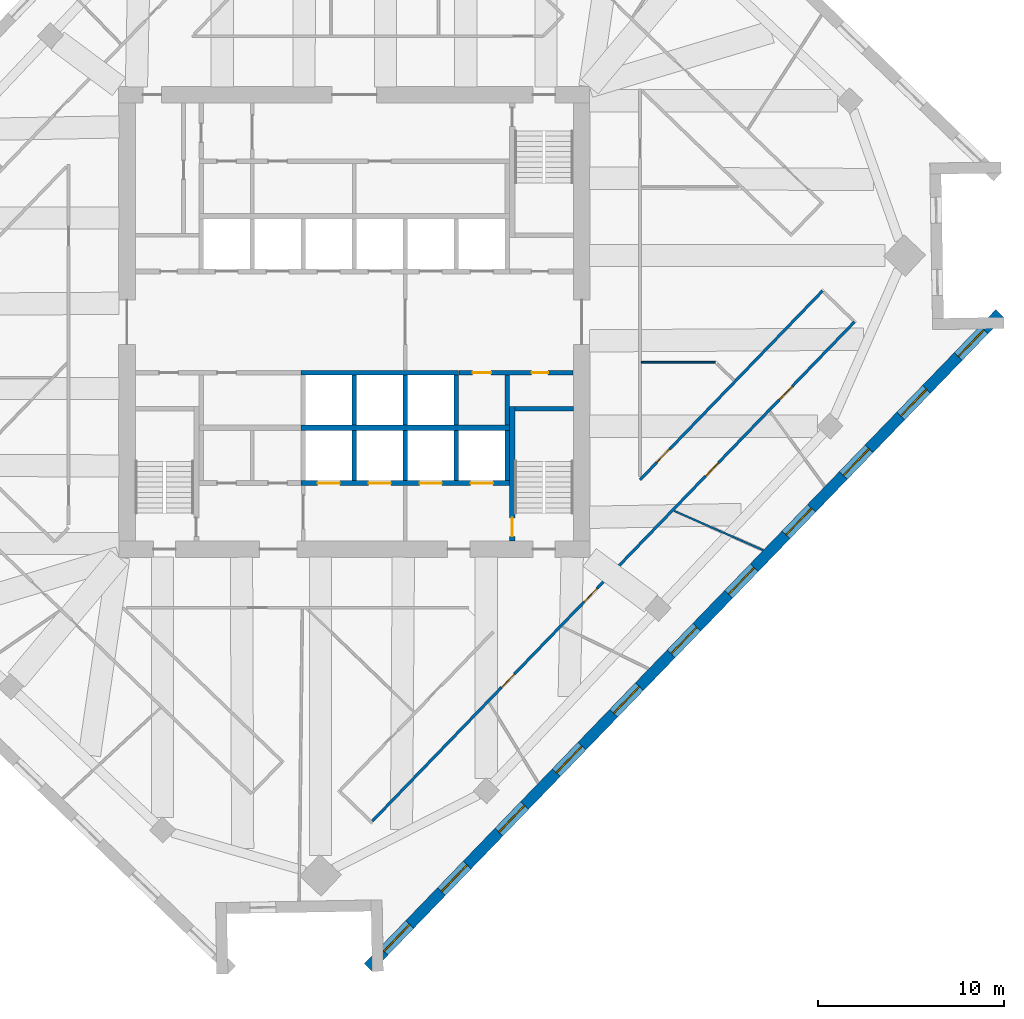
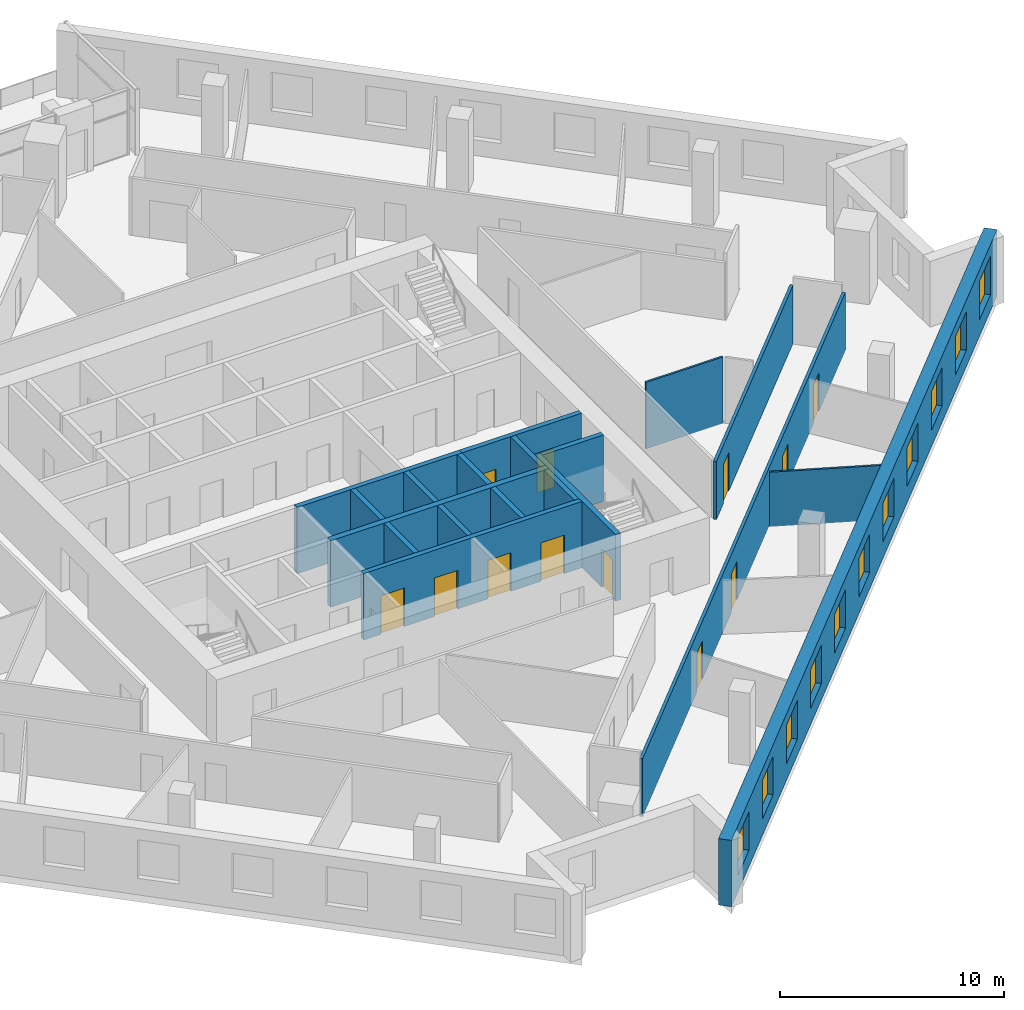
# One storey, part 7 of 13: 19 walls, 12 doors, 11 windows, 23 openings.
"""IFC4 building model written with IfcOpenShell, lengths in metres."""

from ifc_helpers import new_model, si_unit, direction, frame, frame_2d, origin, place, context, subcontext, project, spatial, rectangle, extrude, material, layer, layer_set, type_object, element, fill, save


model = new_model("IFC4")

# Units and contexts
model_context = context("Model", 3, precision=1e-05, world=origin(), true_north=direction((0.0, 1.0)))
body_context = subcontext(model_context, "Body", "Model", "MODEL_VIEW")
ifc_project = project(units=[si_unit("LENGTHUNIT", "METRE"), si_unit("AREAUNIT", "SQUARE_METRE"), si_unit("VOLUMEUNIT", "CUBIC_METRE"), si_unit("PLANEANGLEUNIT", "RADIAN"), si_unit("MASSUNIT", "GRAM", prefix="KILO")], contexts=[model_context])

# Site, building, storey
site_placement = place(None, origin())
site = spatial("IfcSite", under=ifc_project, at=site_placement, CompositionType="ELEMENT")
building_placement = place(site_placement, origin())
building = spatial("IfcBuilding", under=site, at=building_placement, Name="Dilmun Exchange Tower", CompositionType="ELEMENT")
storey_placement = place(building_placement, frame((0.0, 0.0, 209.300048828125)))
storey = spatial("IfcBuildingStorey", under=building, at=storey_placement, Name="L49", CompositionType="ELEMENT", Elevation=209.300048828125)

# Wall
ifc_material_1 = material(Name="Concrete C40/50", Category="concrete")
ifc_layer_1 = layer(ifc_material_1, 0.25)
ifc_layer_set_1 = layer_set([ifc_layer_1], Name="Concrete C40/50")
wall_type_1 = type_object("IfcWallType", Name="Core partition wall 250", PredefinedType="PARTITIONING", material=ifc_layer_set_1)
wall_1_placement = place(storey_placement, frame((8.25, -5.544921875, 0.0), z_axis=(0.0, 0.0, 1.0), x_axis=(0.0, 1.0, 0.0)))
element("IfcWall", 1, at=wall_1_placement, inside=storey, type_object=wall_type_1, Name="L49 core partition wall 08", PredefinedType="PARTITIONING", context=body_context, shape_type="SweptSolid", body=[
    extrude(rectangle(XDim=2.68994140625, YDim=0.25, at=frame_2d((1.344970703125, 0.0))), origin(), (0.0, 0.0, 1.0), 3.619873046875),
])

# Wall, openings, doors
wall_2_placement = place(storey_placement, frame((5.6298828125, -2.72509765625, 0.0), z_axis=(0.0, 0.0, 1.0), x_axis=(1.0, 0.0, 0.0)))
wall_2 = element("IfcWall", 2, at=wall_2_placement, inside=storey, type_object=wall_type_1, Name="L49 core partition wall 10", PredefinedType="PARTITIONING", context=body_context, shape_type="SweptSolid", body=[
    extrude(rectangle(XDim=6.1650390625, YDim=0.25, at=frame_2d((3.08251953125, 0.0))), origin(), (0.0, 0.0, 1.0), 3.619873046875),
])
opening_1_placement = place(wall_2_placement, frame((0.7451171875, 0.0, 0.0)))
opening_1 = element("IfcOpeningElement", 3, at=opening_1_placement, cuts=wall_2, Name="Opening CD4", PredefinedType="OPENING", context=body_context, shape_type="SweptSolid", body=[
    extrude(rectangle(XDim=1.0, YDim=2.10009765625, at=frame_2d((0.5, 1.050048828125))), frame((0.0, 0.135009765625, 0.0), z_axis=(0.0, -1.0, 0.0), x_axis=(1.0, 0.0, 0.0)), (0.0, 0.0, 1.0), 0.27001953125),
])
opening_2_placement = place(wall_2_placement, frame((3.919921875, 0.0, 0.0)))
opening_2 = element("IfcOpeningElement", 4, at=opening_2_placement, cuts=wall_2, Name="Opening CD6", PredefinedType="OPENING", context=body_context, shape_type="SweptSolid", body=[
    extrude(rectangle(XDim=0.89990234375, YDim=2.10009765625, at=frame_2d((0.449951171875, 1.050048828125))), frame((0.0, 0.135009765625, 0.0), z_axis=(0.0, -1.0, 0.0), x_axis=(1.0, 0.0, 0.0)), (0.0, 0.0, 1.0), 0.27001953125),
])
ifc_material_2 = material(Name="Fire-rated steel door set", Category="steel")
door_type_1 = type_object("IfcDoorType", Name="Core room door 1000x2100", OperationType="SINGLE_SWING_LEFT", PredefinedType="DOOR", material=ifc_material_2)
door_1_placement = place(opening_1_placement, origin())
door_1 = element("IfcDoor", 5, at=door_1_placement, inside=storey, type_object=door_type_1, Name="L49 door Cleaners' store", OperationType="SINGLE_SWING_RIGHT", OverallHeight=2.10009765625, OverallWidth=1.0, PredefinedType="DOOR", context=body_context, shape_type="SweptSolid", body=[
    extrude(rectangle(XDim=1.0, YDim=2.10009765625, at=frame_2d((0.5, 1.050048828125))), frame((0.0, 0.02490234375, 0.0), z_axis=(0.0, -1.0, 0.0), x_axis=(1.0, 0.0, 0.0)), (0.0, 0.0, 1.0), 0.050048828125),
])
fill(opening_1, door_1)
door_type_2 = type_object("IfcDoorType", Name="Core room door 900x2100", OperationType="SINGLE_SWING_LEFT", PredefinedType="DOOR", material=ifc_material_2)
door_2_placement = place(opening_2_placement, origin())
door_2 = element("IfcDoor", 6, at=door_2_placement, inside=storey, type_object=door_type_2, Name="L49 door Comms riser", OperationType="SINGLE_SWING_RIGHT", OverallHeight=2.10009765625, OverallWidth=0.89990234375, PredefinedType="DOOR", context=body_context, shape_type="SweptSolid", body=[
    extrude(rectangle(XDim=0.89990234375, YDim=2.10009765625, at=frame_2d((0.449951171875, 1.050048828125))), frame((0.0, 0.02490234375, 0.0), z_axis=(0.0, -1.0, 0.0), x_axis=(1.0, 0.0, 0.0)), (0.0, 0.0, 1.0), 0.050048828125),
])
fill(opening_2, door_2)

ifc_material_3 = material(Name="Corridor wall 150")
ifc_layer_2 = layer(ifc_material_3, 0.14990234375)
ifc_layer_set_2 = layer_set([ifc_layer_2], Name="Corridor wall 150")
wall_type_2 = type_object("IfcWallType", Name="Corridor wall 150", PredefinedType="PARTITIONING", material=ifc_layer_set_2)
wall_3_placement = place(storey_placement, frame((0.97705078125, -26.889892578125, 0.0), z_axis=(0.0, 0.0, 1.0), x_axis=(0.694659509326, 0.719338700546, 0.0)))
wall_3 = element("IfcWall", 7, at=wall_3_placement, inside=storey, type_object=wall_type_2, Name="Corridor wall", PredefinedType="PARTITIONING", context=body_context, shape_type="SweptSolid", body=[
    extrude(rectangle(XDim=37.40380859375, YDim=0.14990234375, at=frame_2d((18.701904296875, 0.0))), origin(), (0.0, 0.0, 1.0), 3.169921875),
])
opening_3_placement = place(wall_3_placement, frame((10.01708984375, 0.0, 0.0)))
opening_3 = element("IfcOpeningElement", 8, at=opening_3_placement, cuts=wall_3, Name="Opening TF48-D16", PredefinedType="OPENING", context=body_context, shape_type="SweptSolid", body=[
    extrude(rectangle(XDim=1.0, YDim=2.10009765625, at=frame_2d((0.5, 1.050048828125))), frame((0.0, 0.0849609375, 0.0), z_axis=(0.0, -1.0, 0.0), x_axis=(1.0, 0.0, 0.0)), (0.0, 0.0, 1.0), 0.169921875),
])
opening_4_placement = place(wall_3_placement, frame((16.41552734375, 0.0, 0.0)))
opening_4 = element("IfcOpeningElement", 9, at=opening_4_placement, cuts=wall_3, Name="Opening TF48-D18", PredefinedType="OPENING", context=body_context, shape_type="SweptSolid", body=[
    extrude(rectangle(XDim=1.0, YDim=2.10009765625, at=frame_2d((0.5, 1.050048828125))), frame((0.0, 0.0849609375, 0.0), z_axis=(0.0, -1.0, 0.0), x_axis=(1.0, 0.0, 0.0)), (0.0, 0.0, 1.0), 0.169921875),
])
opening_5_placement = place(wall_3_placement, frame((25.837646484375, 0.0, 0.0)))
opening_5 = element("IfcOpeningElement", 10, at=opening_5_placement, cuts=wall_3, Name="Opening TF48-D22", PredefinedType="OPENING", context=body_context, shape_type="SweptSolid", body=[
    extrude(rectangle(XDim=1.0, YDim=2.10009765625, at=frame_2d((0.5, 1.050048828125))), frame((0.0, 0.0849609375, 0.0), z_axis=(0.0, -1.0, 0.0), x_axis=(1.0, 0.0, 0.0)), (0.0, 0.0, 1.0), 0.169921875),
])
opening_6_placement = place(wall_3_placement, frame((31.565673828125, 0.0, 0.0)))
opening_6 = element("IfcOpeningElement", 11, at=opening_6_placement, cuts=wall_3, Name="Opening TF48-D24", PredefinedType="OPENING", context=body_context, shape_type="SweptSolid", body=[
    extrude(rectangle(XDim=1.0, YDim=2.10009765625, at=frame_2d((0.5, 1.050048828125))), frame((0.0, 0.0849609375, 0.0), z_axis=(0.0, -1.0, 0.0), x_axis=(1.0, 0.0, 0.0)), (0.0, 0.0, 1.0), 0.169921875),
])
ifc_material_4 = material(Name="Fire door 1000 x 2100")
door_type_3 = type_object("IfcDoorType", Name="Fire door 1000 x 2100", OperationType="NOTDEFINED", PredefinedType="DOOR", material=ifc_material_4)
door_3_placement = place(opening_3_placement, frame((1.0, 0.0, 0.0), z_axis=(0.0, 0.0, 1.0), x_axis=(-1.0, 0.0, 0.0)))
door_3 = element("IfcDoor", 12, at=door_3_placement, inside=storey, type_object=door_type_3, Name="Door TF48-D16", OperationType="SINGLE_SWING_LEFT", OverallHeight=2.10009765625, OverallWidth=1.0, PredefinedType="DOOR", context=body_context, shape_type="SweptSolid", body=[
    extrude(rectangle(XDim=1.0, YDim=2.10009765625, at=frame_2d((0.5, 1.050048828125))), frame((0.0, 0.02490234375, 0.0), z_axis=(0.0, -1.0, 0.0), x_axis=(1.0, 0.0, 0.0)), (0.0, 0.0, 1.0), 0.050048828125),
])
fill(opening_3, door_3)
door_4_placement = place(opening_4_placement, frame((1.0, 0.0, 0.0), z_axis=(0.0, 0.0, 1.0), x_axis=(-1.0, 0.0, 0.0)))
door_4 = element("IfcDoor", 13, at=door_4_placement, inside=storey, type_object=door_type_3, Name="Door TF48-D18", OperationType="SINGLE_SWING_RIGHT", OverallHeight=2.10009765625, OverallWidth=1.0, PredefinedType="DOOR", context=body_context, shape_type="SweptSolid", body=[
    extrude(rectangle(XDim=1.0, YDim=2.10009765625, at=frame_2d((0.5, 1.050048828125))), frame((0.0, 0.02490234375, 0.0), z_axis=(0.0, -1.0, 0.0), x_axis=(1.0, 0.0, 0.0)), (0.0, 0.0, 1.0), 0.050048828125),
])
fill(opening_4, door_4)
door_5_placement = place(opening_5_placement, frame((1.0, 0.0, 0.0), z_axis=(0.0, 0.0, 1.0), x_axis=(-1.0, 0.0, 0.0)))
door_5 = element("IfcDoor", 14, at=door_5_placement, inside=storey, type_object=door_type_3, Name="Door TF48-D22", OperationType="SINGLE_SWING_RIGHT", OverallHeight=2.10009765625, OverallWidth=1.0, PredefinedType="DOOR", context=body_context, shape_type="SweptSolid", body=[
    extrude(rectangle(XDim=1.0, YDim=2.10009765625, at=frame_2d((0.5, 1.050048828125))), frame((0.0, 0.02490234375, 0.0), z_axis=(0.0, -1.0, 0.0), x_axis=(1.0, 0.0, 0.0)), (0.0, 0.0, 1.0), 0.050048828125),
])
fill(opening_5, door_5)
door_6_placement = place(opening_6_placement, frame((1.0, 0.0, 0.0), z_axis=(0.0, 0.0, 1.0), x_axis=(-1.0, 0.0, 0.0)))
door_6 = element("IfcDoor", 15, at=door_6_placement, inside=storey, type_object=door_type_3, Name="Door TF48-D24", OperationType="SINGLE_SWING_RIGHT", OverallHeight=2.10009765625, OverallWidth=1.0, PredefinedType="DOOR", context=body_context, shape_type="SweptSolid", body=[
    extrude(rectangle(XDim=1.0, YDim=2.10009765625, at=frame_2d((0.5, 1.050048828125))), frame((0.0, 0.02490234375, 0.0), z_axis=(0.0, -1.0, 0.0), x_axis=(1.0, 0.0, 0.0)), (0.0, 0.0, 1.0), 0.050048828125),
])
fill(opening_6, door_6)

# Wall, opening, door
wall_4_placement = place(storey_placement, frame((15.39990234375, -8.5, 0.0), z_axis=(0.0, 0.0, 1.0), x_axis=(0.694668375929, 0.719330138034, 0.0)))
wall_4 = element("IfcWall", 16, at=wall_4_placement, inside=storey, type_object=wall_type_2, Name="Corridor wall", PredefinedType="PARTITIONING", context=body_context, shape_type="SweptSolid", body=[
    extrude(rectangle(XDim=14.156494140625, YDim=0.14990234375, at=frame_2d((7.078125, 0.0))), origin(), (0.0, 0.0, 1.0), 3.169921875),
])
opening_7_placement = place(wall_4_placement, frame((1.30029296875, 0.0, 0.0)))
opening_7 = element("IfcOpeningElement", 17, at=opening_7_placement, cuts=wall_4, Name="Opening TF48-D20", PredefinedType="OPENING", context=body_context, shape_type="SweptSolid", body=[
    extrude(rectangle(XDim=1.0, YDim=2.10009765625, at=frame_2d((0.5, 1.050048828125))), frame((0.0, 0.0849609375, 0.0), z_axis=(0.0, -1.0, 0.0), x_axis=(1.0, 0.0, 0.0)), (0.0, 0.0, 1.0), 0.169921875),
])
door_7_placement = place(opening_7_placement, origin())
door_7 = element("IfcDoor", 18, at=door_7_placement, inside=storey, type_object=door_type_3, Name="Door TF48-D20", OperationType="SINGLE_SWING_RIGHT", OverallHeight=2.10009765625, OverallWidth=1.0, PredefinedType="DOOR", context=body_context, shape_type="SweptSolid", body=[
    extrude(rectangle(XDim=1.0, YDim=2.10009765625, at=frame_2d((0.5, 1.050048828125))), frame((0.0, 0.02490234375, 0.0), z_axis=(0.0, -1.0, 0.0), x_axis=(1.0, 0.0, 0.0)), (0.0, 0.0, 1.0), 0.050048828125),
])
fill(opening_7, door_7)

# Walls
ifc_layer_3 = layer(ifc_material_1, 0.300048828125)
ifc_layer_set_3 = layer_set([ifc_layer_3], Name="Concrete C40/50")
wall_type_3 = type_object("IfcWallType", Name="Lift shaft shared wall 300", PredefinedType="SOLIDWALL", material=ifc_layer_set_3)
wall_5_placement = place(storey_placement, frame((-2.875, -5.699951171875, 0.0), z_axis=(0.0, 0.0, 1.0), x_axis=(1.0, 0.0, 0.0)))
element("IfcWall", 19, at=wall_5_placement, inside=storey, type_object=wall_type_3, Name="L49 lift shaft rear wall S", PredefinedType="SOLIDWALL", context=body_context, shape_type="SweptSolid", body=[
    extrude(rectangle(XDim=11.25, YDim=0.300048828125, at=frame_2d((5.625, 0.0))), origin(), (0.0, 0.0, 1.0), 3.619873046875),
])
ifc_layer_4 = layer(ifc_material_1, 0.25)
ifc_layer_set_4 = layer_set([ifc_layer_4], Name="Concrete C40/50")
wall_type_4 = type_object("IfcWallType", Name="Lift shaft wall 250", PredefinedType="SOLIDWALL", material=ifc_layer_set_4)
wall_6_placement = place(storey_placement, frame((-2.875, -2.72509765625, 0.0), z_axis=(0.0, 0.0, 1.0), x_axis=(1.0, 0.0, 0.0)))
element("IfcWall", 20, at=wall_6_placement, inside=storey, type_object=wall_type_4, Name="L49 lift shaft front wall S1", PredefinedType="SOLIDWALL", context=body_context, shape_type="SweptSolid", body=[
    extrude(rectangle(XDim=8.5, YDim=0.25, at=frame_2d((4.25, 0.0))), origin(), (0.0, 0.0, 1.0), 3.619873046875),
])
for number, where, z_axis, x_axis, name in (
    (21, (0.0, -5.550048828125, 0.0), (0.0, 0.0, 1.0), (0.0, 1.0, 0.0), "L49 lift shaft divider S13"),
    (22, (2.75, -5.550048828125, 0.0), (0.0, 0.0, 1.0), (0.0, 1.0, 0.0), "L49 lift shaft divider S14"),
    (23, (5.5, -5.550048828125, 0.0), (0.0, 0.0, 1.0), (0.0, 1.0, 0.0), "L49 lift shaft divider S15"),
):
    element("IfcWall", number, at=place(storey_placement, frame(where, z_axis=z_axis, x_axis=x_axis)), inside=storey, type_object=wall_type_4, Name=name, PredefinedType="SOLIDWALL", context=body_context, shape_type="SweptSolid", body=[
        extrude(rectangle(XDim=2.699951171875, YDim=0.25, at=frame_2d((1.35009765625, 0.0))), origin(), (0.0, 0.0, 1.0), 3.619873046875),
    ])

# Wall, openings, doors
wall_7_placement = place(storey_placement, frame((-2.875, -8.675048828125, 0.0), z_axis=(0.0, 0.0, 1.0), x_axis=(1.0, 0.0, 0.0)))
wall_7 = element("IfcWall", 24, at=wall_7_placement, inside=storey, type_object=wall_type_4, Name="L49 lift shaft front wall S2", PredefinedType="SOLIDWALL", context=body_context, shape_type="SweptSolid", body=[
    extrude(rectangle(XDim=11.25, YDim=0.25, at=frame_2d((5.625, 0.0))), origin(), (0.0, 0.0, 1.0), 3.619873046875),
])
opening_8_placement = place(wall_7_placement, frame((0.89990234375, 0.0, 0.0)))
opening_8 = element("IfcOpeningElement", 25, at=opening_8_placement, cuts=wall_7, Name="Opening LD", PredefinedType="OPENING", context=body_context, shape_type="SweptSolid", body=[
    extrude(rectangle(XDim=1.199951171875, YDim=2.10009765625, at=frame_2d((0.60009765625, 1.050048828125))), frame((0.0, 0.135009765625, 0.0), z_axis=(0.0, -1.0, 0.0), x_axis=(1.0, 0.0, 0.0)), (0.0, 0.0, 1.0), 0.27001953125),
])
opening_9_placement = place(wall_7_placement, frame((3.64990234375, 0.0, 0.0)))
opening_9 = element("IfcOpeningElement", 26, at=opening_9_placement, cuts=wall_7, Name="Opening LD", PredefinedType="OPENING", context=body_context, shape_type="SweptSolid", body=[
    extrude(rectangle(XDim=1.199951171875, YDim=2.10009765625, at=frame_2d((0.60009765625, 1.050048828125))), frame((0.0, 0.135009765625, 0.0), z_axis=(0.0, -1.0, 0.0), x_axis=(1.0, 0.0, 0.0)), (0.0, 0.0, 1.0), 0.27001953125),
])
opening_10_placement = place(wall_7_placement, frame((6.39990234375, 0.0, 0.0)))
opening_10 = element("IfcOpeningElement", 27, at=opening_10_placement, cuts=wall_7, Name="Opening LD", PredefinedType="OPENING", context=body_context, shape_type="SweptSolid", body=[
    extrude(rectangle(XDim=1.199951171875, YDim=2.10009765625, at=frame_2d((0.60009765625, 1.050048828125))), frame((0.0, 0.135009765625, 0.0), z_axis=(0.0, -1.0, 0.0), x_axis=(1.0, 0.0, 0.0)), (0.0, 0.0, 1.0), 0.27001953125),
])
opening_11_placement = place(wall_7_placement, frame((9.14990234375, 0.0, 0.0)))
opening_11 = element("IfcOpeningElement", 28, at=opening_11_placement, cuts=wall_7, Name="Opening LD", PredefinedType="OPENING", context=body_context, shape_type="SweptSolid", body=[
    extrude(rectangle(XDim=1.199951171875, YDim=2.10009765625, at=frame_2d((0.60009765625, 1.050048828125))), frame((0.0, 0.135009765625, 0.0), z_axis=(0.0, -1.0, 0.0), x_axis=(1.0, 0.0, 0.0)), (0.0, 0.0, 1.0), 0.27001953125),
])
door_type_4 = type_object("IfcDoorType", Name="Lift landing door 1200x2100", OperationType="DOUBLE_DOOR_SLIDING", PredefinedType="DOOR", material=ifc_material_2)
door_8_placement = place(opening_8_placement, origin())
door_8 = element("IfcDoor", 29, at=door_8_placement, inside=storey, type_object=door_type_4, Name="L49 landing door SV1", OperationType="DOUBLE_DOOR_SLIDING", OverallHeight=2.10009765625, OverallWidth=1.199951171875, PredefinedType="DOOR", context=body_context, shape_type="SweptSolid", body=[
    extrude(rectangle(XDim=1.199951171875, YDim=2.10009765625, at=frame_2d((0.60009765625, 1.050048828125))), frame((0.0, 0.02490234375, 0.0), z_axis=(0.0, -1.0, 0.0), x_axis=(1.0, 0.0, 0.0)), (0.0, 0.0, 1.0), 0.050048828125),
])
fill(opening_8, door_8)
door_9_placement = place(opening_9_placement, origin())
door_9 = element("IfcDoor", 30, at=door_9_placement, inside=storey, type_object=door_type_4, Name="L49 landing door SV2", OperationType="DOUBLE_DOOR_SLIDING", OverallHeight=2.10009765625, OverallWidth=1.199951171875, PredefinedType="DOOR", context=body_context, shape_type="SweptSolid", body=[
    extrude(rectangle(XDim=1.199951171875, YDim=2.10009765625, at=frame_2d((0.60009765625, 1.050048828125))), frame((0.0, 0.02490234375, 0.0), z_axis=(0.0, -1.0, 0.0), x_axis=(1.0, 0.0, 0.0)), (0.0, 0.0, 1.0), 0.050048828125),
])
fill(opening_9, door_9)
door_10_placement = place(opening_10_placement, origin())
door_10 = element("IfcDoor", 31, at=door_10_placement, inside=storey, type_object=door_type_4, Name="L49 landing door FF1", OperationType="DOUBLE_DOOR_SLIDING", OverallHeight=2.10009765625, OverallWidth=1.199951171875, PredefinedType="DOOR", context=body_context, shape_type="SweptSolid", body=[
    extrude(rectangle(XDim=1.199951171875, YDim=2.10009765625, at=frame_2d((0.60009765625, 1.050048828125))), frame((0.0, 0.02490234375, 0.0), z_axis=(0.0, -1.0, 0.0), x_axis=(1.0, 0.0, 0.0)), (0.0, 0.0, 1.0), 0.050048828125),
])
fill(opening_10, door_10)
door_11_placement = place(opening_11_placement, origin())
door_11 = element("IfcDoor", 32, at=door_11_placement, inside=storey, type_object=door_type_4, Name="L49 landing door FF2", OperationType="DOUBLE_DOOR_SLIDING", OverallHeight=2.10009765625, OverallWidth=1.199951171875, PredefinedType="DOOR", context=body_context, shape_type="SweptSolid", body=[
    extrude(rectangle(XDim=1.199951171875, YDim=2.10009765625, at=frame_2d((0.60009765625, 1.050048828125))), frame((0.0, 0.02490234375, 0.0), z_axis=(0.0, -1.0, 0.0), x_axis=(1.0, 0.0, 0.0)), (0.0, 0.0, 1.0), 0.050048828125),
])
fill(opening_11, door_11)

# Walls
for number, where, z_axis, x_axis, name in (
    (33, (0.0, -8.550048828125, 0.0), (0.0, 0.0, 1.0), (0.0, 1.0, 0.0), "L49 lift shaft divider S23"),
    (34, (2.75, -8.550048828125, 0.0), (0.0, 0.0, 1.0), (0.0, 1.0, 0.0), "L49 lift shaft divider S24"),
    (35, (5.5, -8.550048828125, 0.0), (0.0, 0.0, 1.0), (0.0, 1.0, 0.0), "L49 lift shaft divider S25"),
    (36, (8.25, -8.550048828125, 0.0), (0.0, 0.0, 1.0), (0.0, 1.0, 0.0), "L49 lift shaft divider S26"),
):
    element("IfcWall", number, at=place(storey_placement, frame(where, z_axis=z_axis, x_axis=x_axis)), inside=storey, type_object=wall_type_4, Name=name, PredefinedType="SOLIDWALL", context=body_context, shape_type="SweptSolid", body=[
        extrude(rectangle(XDim=2.699951171875, YDim=0.25, at=frame_2d((1.35009765625, 0.0))), origin(), (0.0, 0.0, 1.0), 3.619873046875),
    ])
ifc_material_5 = material(Name="Partition 100")
ifc_layer_5 = layer(ifc_material_5, 0.10009765625)
ifc_layer_set_5 = layer_set([ifc_layer_5], Name="Partition 100")
wall_type_5 = type_object("IfcWallType", Name="Partition 100", PredefinedType="PARTITIONING", material=ifc_layer_set_5)
wall_8_placement = place(storey_placement, frame((15.47509765625, -2.162109375, 0.0), z_axis=(0.0, 0.0, 1.0), x_axis=(1.0, 0.0, 0.0)))
element("IfcWall", 37, at=wall_8_placement, inside=storey, type_object=wall_type_5, Name="Partition", PredefinedType="PARTITIONING", context=body_context, shape_type="SweptSolid", body=[
    extrude(rectangle(XDim=3.97900390625, YDim=0.10009765625, at=frame_2d((1.989501953125, 0.0))), origin(), (0.0, 0.0, 1.0), 3.619873046875),
])
wall_9_placement = place(storey_placement, frame((17.243896484375, -10.177734375, 0.0), z_axis=(0.0, 0.0, 1.0), x_axis=(0.914761015663, -0.403995401239, 0.0)))
element("IfcWall", 38, at=wall_9_placement, inside=storey, type_object=wall_type_5, Name="Partition", PredefinedType="PARTITIONING", context=body_context, shape_type="SweptSolid", body=[
    extrude(rectangle(XDim=5.245361328125, YDim=0.10009765625, at=frame_2d((2.62255859375, 0.0))), origin(), (0.0, 0.0, 1.0), 2.969970703125),
])

# Wall, openings, windows
ifc_material_6 = material(Name="Precast concrete C50/60", Category="concrete")
ifc_layer_6 = layer(ifc_material_6, 0.60009765625)
ifc_layer_set_6 = layer_set([ifc_layer_6], Name="Precast concrete C50/60")
wall_type_6 = type_object("IfcWallType", Name="Precast stone-clad wall 600", PredefinedType="STANDARD", material=ifc_layer_set_6)
wall_10_placement = place(storey_placement, frame((0.74853515625, -34.781982421875, 0.0), z_axis=(0.0, 0.0, 1.0), x_axis=(0.694657553534, 0.719340589233, 0.0)))
wall_10 = element("IfcWall", 39, at=wall_10_placement, inside=storey, type_object=wall_type_6, Name="Facade wall L49-11", PredefinedType="STANDARD", context=body_context, shape_type="SweptSolid", body=[
    extrude(rectangle(XDim=49.000244140625, YDim=0.60009765625, at=frame_2d((24.5, 0.0))), origin(), (0.0, 0.0, 1.0), 3.619873046875),
])
opening_12_placement = place(wall_10_placement, frame((1.227294921875, 0.0, 0.89990234375)))
opening_12 = element("IfcOpeningElement", 40, at=opening_12_placement, cuts=wall_10, Name="Opening W200-210", PredefinedType="OPENING", context=body_context, shape_type="SweptSolid", body=[
    extrude(rectangle(XDim=2.0, YDim=2.10009765625, at=frame_2d((1.0, 1.050048828125))), frame((0.0, 0.31005859375, 0.0), z_axis=(0.0, -1.0, 0.0), x_axis=(1.0, 0.0, 0.0)), (0.0, 0.0, 1.0), 0.6201171875),
])
opening_13_placement = place(wall_10_placement, frame((5.681884765625, 0.0, 0.89990234375)))
opening_13 = element("IfcOpeningElement", 41, at=opening_13_placement, cuts=wall_10, Name="Opening W200-210", PredefinedType="OPENING", context=body_context, shape_type="SweptSolid", body=[
    extrude(rectangle(XDim=2.0, YDim=2.10009765625, at=frame_2d((1.0, 1.050048828125))), frame((0.0, 0.31005859375, 0.0), z_axis=(0.0, -1.0, 0.0), x_axis=(1.0, 0.0, 0.0)), (0.0, 0.0, 1.0), 0.6201171875),
])
opening_14_placement = place(wall_10_placement, frame((10.136474609375, 0.0, 0.89990234375)))
opening_14 = element("IfcOpeningElement", 42, at=opening_14_placement, cuts=wall_10, Name="Opening W200-210", PredefinedType="OPENING", context=body_context, shape_type="SweptSolid", body=[
    extrude(rectangle(XDim=2.0, YDim=2.10009765625, at=frame_2d((1.0, 1.050048828125))), frame((0.0, 0.31005859375, 0.0), z_axis=(0.0, -1.0, 0.0), x_axis=(1.0, 0.0, 0.0)), (0.0, 0.0, 1.0), 0.6201171875),
])
opening_15_placement = place(wall_10_placement, frame((14.5908203125, 0.0, 0.89990234375)))
opening_15 = element("IfcOpeningElement", 43, at=opening_15_placement, cuts=wall_10, Name="Opening W200-210", PredefinedType="OPENING", context=body_context, shape_type="SweptSolid", body=[
    extrude(rectangle(XDim=2.0, YDim=2.10009765625, at=frame_2d((1.0, 1.050048828125))), frame((0.0, 0.31005859375, 0.0), z_axis=(0.0, -1.0, 0.0), x_axis=(1.0, 0.0, 0.0)), (0.0, 0.0, 1.0), 0.6201171875),
])
opening_16_placement = place(wall_10_placement, frame((19.04541015625, 0.0, 0.89990234375)))
opening_16 = element("IfcOpeningElement", 44, at=opening_16_placement, cuts=wall_10, Name="Opening W200-210", PredefinedType="OPENING", context=body_context, shape_type="SweptSolid", body=[
    extrude(rectangle(XDim=2.0, YDim=2.10009765625, at=frame_2d((1.0, 1.050048828125))), frame((0.0, 0.31005859375, 0.0), z_axis=(0.0, -1.0, 0.0), x_axis=(1.0, 0.0, 0.0)), (0.0, 0.0, 1.0), 0.6201171875),
])
opening_17_placement = place(wall_10_placement, frame((23.5, 0.0, 0.89990234375)))
opening_17 = element("IfcOpeningElement", 45, at=opening_17_placement, cuts=wall_10, Name="Opening W200-210", PredefinedType="OPENING", context=body_context, shape_type="SweptSolid", body=[
    extrude(rectangle(XDim=2.0, YDim=2.10009765625, at=frame_2d((1.0, 1.050048828125))), frame((0.0, 0.31005859375, 0.0), z_axis=(0.0, -1.0, 0.0), x_axis=(1.0, 0.0, 0.0)), (0.0, 0.0, 1.0), 0.6201171875),
])
opening_18_placement = place(wall_10_placement, frame((27.95458984375, 0.0, 0.89990234375)))
opening_18 = element("IfcOpeningElement", 46, at=opening_18_placement, cuts=wall_10, Name="Opening W200-210", PredefinedType="OPENING", context=body_context, shape_type="SweptSolid", body=[
    extrude(rectangle(XDim=2.0, YDim=2.10009765625, at=frame_2d((1.0, 1.050048828125))), frame((0.0, 0.31005859375, 0.0), z_axis=(0.0, -1.0, 0.0), x_axis=(1.0, 0.0, 0.0)), (0.0, 0.0, 1.0), 0.6201171875),
])
opening_19_placement = place(wall_10_placement, frame((32.4091796875, 0.0, 0.89990234375)))
opening_19 = element("IfcOpeningElement", 47, at=opening_19_placement, cuts=wall_10, Name="Opening W200-210", PredefinedType="OPENING", context=body_context, shape_type="SweptSolid", body=[
    extrude(rectangle(XDim=2.0, YDim=2.10009765625, at=frame_2d((1.0, 1.050048828125))), frame((0.0, 0.31005859375, 0.0), z_axis=(0.0, -1.0, 0.0), x_axis=(1.0, 0.0, 0.0)), (0.0, 0.0, 1.0), 0.6201171875),
])
opening_20_placement = place(wall_10_placement, frame((36.863525390625, 0.0, 0.89990234375)))
opening_20 = element("IfcOpeningElement", 48, at=opening_20_placement, cuts=wall_10, Name="Opening W200-210", PredefinedType="OPENING", context=body_context, shape_type="SweptSolid", body=[
    extrude(rectangle(XDim=2.0, YDim=2.10009765625, at=frame_2d((1.0, 1.050048828125))), frame((0.0, 0.31005859375, 0.0), z_axis=(0.0, -1.0, 0.0), x_axis=(1.0, 0.0, 0.0)), (0.0, 0.0, 1.0), 0.6201171875),
])
opening_21_placement = place(wall_10_placement, frame((41.318115234375, 0.0, 0.89990234375)))
opening_21 = element("IfcOpeningElement", 49, at=opening_21_placement, cuts=wall_10, Name="Opening W200-210", PredefinedType="OPENING", context=body_context, shape_type="SweptSolid", body=[
    extrude(rectangle(XDim=2.0, YDim=2.10009765625, at=frame_2d((1.0, 1.050048828125))), frame((0.0, 0.31005859375, 0.0), z_axis=(0.0, -1.0, 0.0), x_axis=(1.0, 0.0, 0.0)), (0.0, 0.0, 1.0), 0.6201171875),
])
opening_22_placement = place(wall_10_placement, frame((45.772705078125, 0.0, 0.89990234375)))
opening_22 = element("IfcOpeningElement", 50, at=opening_22_placement, cuts=wall_10, Name="Opening W200-210", PredefinedType="OPENING", context=body_context, shape_type="SweptSolid", body=[
    extrude(rectangle(XDim=2.0, YDim=2.10009765625, at=frame_2d((1.0, 1.050048828125))), frame((0.0, 0.31005859375, 0.0), z_axis=(0.0, -1.0, 0.0), x_axis=(1.0, 0.0, 0.0)), (0.0, 0.0, 1.0), 0.6201171875),
])
ifc_material_7 = material(Name="Clear low-emissivity glass in aluminium frame", Category="aluminium")
window_type = type_object("IfcWindowType", Name="Punched window 2000 x 2100", PartitioningType="DOUBLE_PANEL_VERTICAL", PredefinedType="WINDOW", material=ifc_material_7)
window_1_placement = place(opening_12_placement, origin())
window_1 = element("IfcWindow", 51, at=window_1_placement, inside=storey, type_object=window_type, Name="Window 12.1", OverallHeight=2.10009765625, OverallWidth=2.0, PartitioningType="SINGLE_PANEL", PredefinedType="WINDOW", context=body_context, shape_type="SweptSolid", body=[
    extrude(rectangle(XDim=2.0, YDim=2.10009765625, at=frame_2d((1.0, 1.050048828125))), frame((0.0, 0.030029296875, 0.0), z_axis=(0.0, -1.0, 0.0), x_axis=(1.0, 0.0, 0.0)), (0.0, 0.0, 1.0), 0.06005859375),
])
fill(opening_12, window_1)
window_2_placement = place(opening_13_placement, origin())
window_2 = element("IfcWindow", 52, at=window_2_placement, inside=storey, type_object=window_type, Name="Window 12.2", OverallHeight=2.10009765625, OverallWidth=2.0, PartitioningType="SINGLE_PANEL", PredefinedType="WINDOW", context=body_context, shape_type="SweptSolid", body=[
    extrude(rectangle(XDim=2.0, YDim=2.10009765625, at=frame_2d((1.0, 1.050048828125))), frame((0.0, 0.030029296875, 0.0), z_axis=(0.0, -1.0, 0.0), x_axis=(1.0, 0.0, 0.0)), (0.0, 0.0, 1.0), 0.06005859375),
])
fill(opening_13, window_2)
window_3_placement = place(opening_14_placement, origin())
window_3 = element("IfcWindow", 53, at=window_3_placement, inside=storey, type_object=window_type, Name="Window 12.3", OverallHeight=2.10009765625, OverallWidth=2.0, PartitioningType="SINGLE_PANEL", PredefinedType="WINDOW", context=body_context, shape_type="SweptSolid", body=[
    extrude(rectangle(XDim=2.0, YDim=2.10009765625, at=frame_2d((1.0, 1.050048828125))), frame((0.0, 0.030029296875, 0.0), z_axis=(0.0, -1.0, 0.0), x_axis=(1.0, 0.0, 0.0)), (0.0, 0.0, 1.0), 0.06005859375),
])
fill(opening_14, window_3)
window_4_placement = place(opening_15_placement, origin())
window_4 = element("IfcWindow", 54, at=window_4_placement, inside=storey, type_object=window_type, Name="Window 12.4", OverallHeight=2.10009765625, OverallWidth=2.0, PartitioningType="SINGLE_PANEL", PredefinedType="WINDOW", context=body_context, shape_type="SweptSolid", body=[
    extrude(rectangle(XDim=2.0, YDim=2.10009765625, at=frame_2d((1.0, 1.050048828125))), frame((0.0, 0.030029296875, 0.0), z_axis=(0.0, -1.0, 0.0), x_axis=(1.0, 0.0, 0.0)), (0.0, 0.0, 1.0), 0.06005859375),
])
fill(opening_15, window_4)
window_5_placement = place(opening_16_placement, origin())
window_5 = element("IfcWindow", 55, at=window_5_placement, inside=storey, type_object=window_type, Name="Window 12.5", OverallHeight=2.10009765625, OverallWidth=2.0, PartitioningType="SINGLE_PANEL", PredefinedType="WINDOW", context=body_context, shape_type="SweptSolid", body=[
    extrude(rectangle(XDim=2.0, YDim=2.10009765625, at=frame_2d((1.0, 1.050048828125))), frame((0.0, 0.030029296875, 0.0), z_axis=(0.0, -1.0, 0.0), x_axis=(1.0, 0.0, 0.0)), (0.0, 0.0, 1.0), 0.06005859375),
])
fill(opening_16, window_5)
window_6_placement = place(opening_17_placement, origin())
window_6 = element("IfcWindow", 56, at=window_6_placement, inside=storey, type_object=window_type, Name="Window 12.6", OverallHeight=2.10009765625, OverallWidth=2.0, PartitioningType="SINGLE_PANEL", PredefinedType="WINDOW", context=body_context, shape_type="SweptSolid", body=[
    extrude(rectangle(XDim=2.0, YDim=2.10009765625, at=frame_2d((1.0, 1.050048828125))), frame((0.0, 0.030029296875, 0.0), z_axis=(0.0, -1.0, 0.0), x_axis=(1.0, 0.0, 0.0)), (0.0, 0.0, 1.0), 0.06005859375),
])
fill(opening_17, window_6)
window_7_placement = place(opening_18_placement, origin())
window_7 = element("IfcWindow", 57, at=window_7_placement, inside=storey, type_object=window_type, Name="Window 12.7", OverallHeight=2.10009765625, OverallWidth=2.0, PartitioningType="SINGLE_PANEL", PredefinedType="WINDOW", context=body_context, shape_type="SweptSolid", body=[
    extrude(rectangle(XDim=2.0, YDim=2.10009765625, at=frame_2d((1.0, 1.050048828125))), frame((0.0, 0.030029296875, 0.0), z_axis=(0.0, -1.0, 0.0), x_axis=(1.0, 0.0, 0.0)), (0.0, 0.0, 1.0), 0.06005859375),
])
fill(opening_18, window_7)
window_8_placement = place(opening_19_placement, origin())
window_8 = element("IfcWindow", 58, at=window_8_placement, inside=storey, type_object=window_type, Name="Window 12.8", OverallHeight=2.10009765625, OverallWidth=2.0, PartitioningType="SINGLE_PANEL", PredefinedType="WINDOW", context=body_context, shape_type="SweptSolid", body=[
    extrude(rectangle(XDim=2.0, YDim=2.10009765625, at=frame_2d((1.0, 1.050048828125))), frame((0.0, 0.030029296875, 0.0), z_axis=(0.0, -1.0, 0.0), x_axis=(1.0, 0.0, 0.0)), (0.0, 0.0, 1.0), 0.06005859375),
])
fill(opening_19, window_8)
window_9_placement = place(opening_20_placement, origin())
window_9 = element("IfcWindow", 59, at=window_9_placement, inside=storey, type_object=window_type, Name="Window 12.9", OverallHeight=2.10009765625, OverallWidth=2.0, PartitioningType="SINGLE_PANEL", PredefinedType="WINDOW", context=body_context, shape_type="SweptSolid", body=[
    extrude(rectangle(XDim=2.0, YDim=2.10009765625, at=frame_2d((1.0, 1.050048828125))), frame((0.0, 0.030029296875, 0.0), z_axis=(0.0, -1.0, 0.0), x_axis=(1.0, 0.0, 0.0)), (0.0, 0.0, 1.0), 0.06005859375),
])
fill(opening_20, window_9)
window_10_placement = place(opening_21_placement, origin())
window_10 = element("IfcWindow", 60, at=window_10_placement, inside=storey, type_object=window_type, Name="Window 12.10", OverallHeight=2.10009765625, OverallWidth=2.0, PartitioningType="SINGLE_PANEL", PredefinedType="WINDOW", context=body_context, shape_type="SweptSolid", body=[
    extrude(rectangle(XDim=2.0, YDim=2.10009765625, at=frame_2d((1.0, 1.050048828125))), frame((0.0, 0.030029296875, 0.0), z_axis=(0.0, -1.0, 0.0), x_axis=(1.0, 0.0, 0.0)), (0.0, 0.0, 1.0), 0.06005859375),
])
fill(opening_21, window_10)
window_11_placement = place(opening_22_placement, origin())
window_11 = element("IfcWindow", 61, at=window_11_placement, inside=storey, type_object=window_type, Name="Window 12.11", OverallHeight=2.10009765625, OverallWidth=2.0, PartitioningType="SINGLE_PANEL", PredefinedType="WINDOW", context=body_context, shape_type="SweptSolid", body=[
    extrude(rectangle(XDim=2.0, YDim=2.10009765625, at=frame_2d((1.0, 1.050048828125))), frame((0.0, 0.030029296875, 0.0), z_axis=(0.0, -1.0, 0.0), x_axis=(1.0, 0.0, 0.0)), (0.0, 0.0, 1.0), 0.06005859375),
])
fill(opening_22, window_11)

# Wall
ifc_layer_7 = layer(ifc_material_1, 0.25)
ifc_layer_set_7 = layer_set([ifc_layer_7], Name="Concrete C40/50")
wall_type_7 = type_object("IfcWallType", Name="Stair end wall 250", PredefinedType="SOLIDWALL", material=ifc_layer_set_7)
wall_11_placement = place(storey_placement, frame((8.64990234375, -4.675048828125, 0.0), z_axis=(0.0, 0.0, 1.0), x_axis=(1.0, 0.0, 0.0)))
element("IfcWall", 62, at=wall_11_placement, inside=storey, type_object=wall_type_7, Name="L49 ST3 far wall", PredefinedType="SOLIDWALL", context=body_context, shape_type="SweptSolid", body=[
    extrude(rectangle(XDim=3.150146484375, YDim=0.25, at=frame_2d((1.5751953125, 0.0))), origin(), (0.0, 0.0, 1.0), 3.619873046875),
])

# Wall, opening, door
ifc_layer_8 = layer(ifc_material_1, 0.27490234375)
ifc_layer_set_8 = layer_set([ifc_layer_8], Name="Concrete C40/50")
wall_type_8 = type_object("IfcWallType", Name="Stair wall 275", PredefinedType="SOLIDWALL", material=ifc_layer_set_8)
wall_12_placement = place(storey_placement, frame((8.512451171875, -4.550048828125, 0.0), z_axis=(0.0, 0.0, 1.0), x_axis=(0.0, -1.0, 0.0)))
wall_12 = element("IfcWall", 63, at=wall_12_placement, inside=storey, type_object=wall_type_8, Name="L49 ST3 wall to lift block", PredefinedType="SOLIDWALL", context=body_context, shape_type="SweptSolid", body=[
    extrude(rectangle(XDim=7.25, YDim=0.27490234375, at=frame_2d((3.625, 0.0))), origin(), (0.0, 0.0, 1.0), 3.619873046875),
])
opening_23_placement = place(wall_12_placement, frame((6.0, 0.0, 0.0)))
opening_23 = element("IfcOpeningElement", 64, at=opening_23_placement, cuts=wall_12, Name="Opening CD4", PredefinedType="OPENING", context=body_context, shape_type="SweptSolid", body=[
    extrude(rectangle(XDim=1.0, YDim=2.10009765625, at=frame_2d((0.5, 1.050048828125))), frame((0.0, 0.1474609375, 0.0), z_axis=(0.0, -1.0, 0.0), x_axis=(1.0, 0.0, 0.0)), (0.0, 0.0, 1.0), 0.294921875),
])
door_12_placement = place(opening_23_placement, origin())
door_12 = element("IfcDoor", 65, at=door_12_placement, inside=storey, type_object=door_type_1, Name="L49 door ST3 from lobby", OperationType="SINGLE_SWING_LEFT", OverallHeight=2.10009765625, OverallWidth=1.0, PredefinedType="DOOR", context=body_context, shape_type="SweptSolid", body=[
    extrude(rectangle(XDim=1.0, YDim=2.10009765625, at=frame_2d((0.5, 1.050048828125))), frame((0.0, 0.02490234375, 0.0), z_axis=(0.0, -1.0, 0.0), x_axis=(1.0, 0.0, 0.0)), (0.0, 0.0, 1.0), 0.050048828125),
])
fill(opening_23, door_12)

save(model, "model.ifc")
